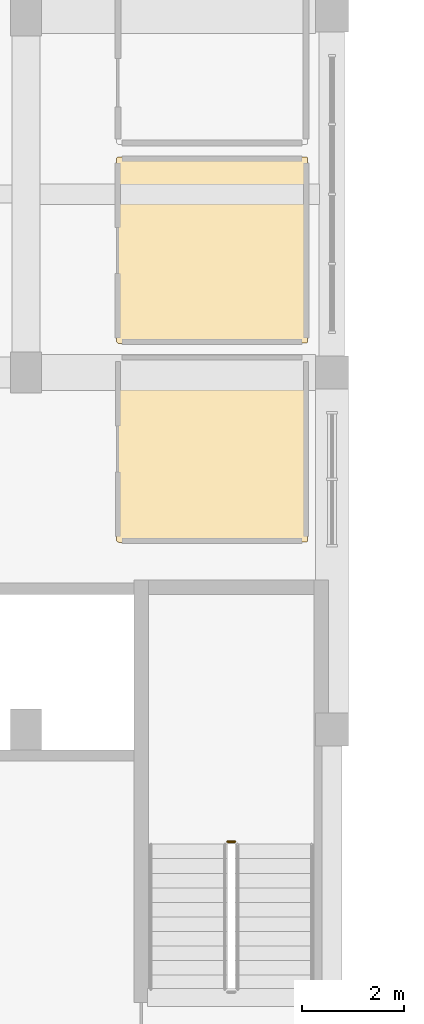
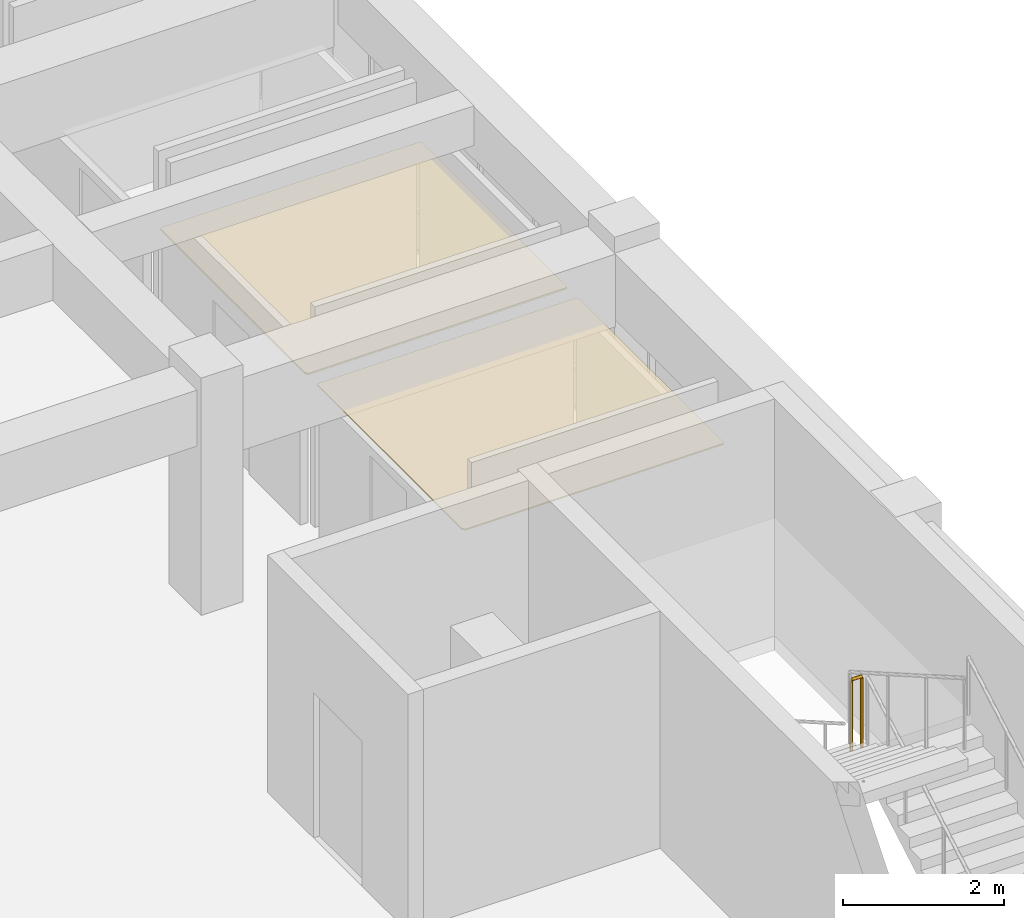
# One storey, part 75 of 77: 2 coverings, 1 railing.
"""IFC4 building model written with IfcOpenShell, lengths in metres."""

from ifc_helpers import new_model, si_unit, direction, frame, origin, origin_2d, place, context, subcontext, project, spatial, polyline, circle, outline, extrude, material, layer, layer_set, type_object, element, save


model = new_model("IFC4")

# Units and contexts
model_context = context("Model", 3, precision=1e-05, world=origin(), true_north=direction((0.0, 1.0)))
body_context = subcontext(model_context, "Body", "Model", "MODEL_VIEW")
ifc_project = project(units=[si_unit("LENGTHUNIT", "METRE"), si_unit("AREAUNIT", "SQUARE_METRE"), si_unit("VOLUMEUNIT", "CUBIC_METRE"), si_unit("PLANEANGLEUNIT", "RADIAN"), si_unit("MASSUNIT", "GRAM", prefix="KILO")], contexts=[model_context])

# Site, building, storey
site_placement = place(None, origin())
site = spatial("IfcSite", under=ifc_project, at=site_placement, CompositionType="ELEMENT")
building_placement = place(site_placement, origin())
building = spatial("IfcBuilding", under=site, at=building_placement, Name="Larkveld Mobility Hub", CompositionType="ELEMENT")
storey_placement = place(building_placement, frame((0.0, 0.0, 12.0)))
storey = spatial("IfcBuildingStorey", under=building, at=storey_placement, Name="L03", CompositionType="ELEMENT", Elevation=12.0)

# Coverings
ifc_material_1 = material(Name="Perforated mineral-fibre acoustic ceiling", Category="masonry")
ifc_layer_1 = layer(ifc_material_1, 0.02001953125, Name="Perforated mineral-fibre acoustic ceiling", Category="masonry")
ifc_layer_set_1 = layer_set([ifc_layer_1], Name="Perforated mineral-fibre acoustic ceiling")
covering_type_1 = type_object("IfcCoveringType", Name="CV-CLG-020", PredefinedType="CEILING", material=ifc_layer_set_1)
covering_1_placement = place(storey_placement, frame((0.0, 0.0, 2.330078125)))
element("IfcCovering", 1, at=covering_1_placement, inside=storey, type_object=covering_type_1, Name="Male Public Toilet Acoustic Ceiling 034", PredefinedType="CEILING", context=body_context, shape_type="SweptSolid", body=[
    extrude(outline(polyline([(147.820068359375, 38.669921875), (147.81689453125, 38.669921875), (147.81396484375, 38.6708984375), (147.81103515625, 38.6708984375), (147.80908203125, 38.672119140625), (147.805908203125, 38.674072265625), (147.802978515625, 38.675048828125), (147.801025390625, 38.677001953125), (147.799072265625, 38.678955078125), (147.779052734375, 38.698974609375), (147.777099609375, 38.700927734375), (147.77490234375, 38.702880859375), (147.77392578125, 38.7060546875), (147.77197265625, 38.708984375), (147.77099609375, 38.7109375), (147.77099609375, 38.714111328125), (147.77001953125, 38.717041015625), (147.77001953125, 38.719970703125), (147.77587890625, 42.2939453125), (147.77587890625, 42.297119140625), (147.77587890625, 42.300048828125), (147.777099609375, 42.302978515625), (147.778076171875, 42.305908203125), (147.779052734375, 42.30810546875), (147.781005859375, 42.31103515625), (147.782958984375, 42.31298828125), (147.784912109375, 42.31494140625), (147.787109375, 42.31689453125), (147.7890625, 42.319091796875), (147.7919921875, 42.321044921875), (147.7939453125, 42.322021484375), (147.797119140625, 42.322998046875), (147.800048828125, 42.323974609375), (147.802978515625, 42.323974609375), (147.805908203125, 42.323974609375), (151.493896484375, 42.323974609375), (151.4970703125, 42.323974609375), (151.5, 42.323974609375), (151.5029296875, 42.322998046875), (151.506103515625, 42.322021484375), (151.508056640625, 42.321044921875), (151.510986328125, 42.319091796875), (151.512939453125, 42.31689453125), (151.514892578125, 42.31494140625), (151.51708984375, 42.31298828125), (151.51904296875, 42.31103515625), (151.52099609375, 42.30810546875), (151.52197265625, 42.305908203125), (151.52294921875, 42.302978515625), (151.52392578125, 42.300048828125), (151.52392578125, 42.297119140625), (151.52392578125, 42.2939453125), (151.52392578125, 38.7060546875), (151.52392578125, 38.702880859375), (151.52392578125, 38.699951171875), (151.52294921875, 38.697021484375), (151.52197265625, 38.694091796875), (151.52099609375, 38.69189453125), (151.51904296875, 38.68896484375), (151.51708984375, 38.68701171875), (151.514892578125, 38.68505859375), (151.512939453125, 38.68310546875), (151.510986328125, 38.680908203125), (151.508056640625, 38.678955078125), (151.506103515625, 38.677978515625), (151.5029296875, 38.677001953125), (151.5, 38.676025390625), (151.4970703125, 38.676025390625), (151.493896484375, 38.676025390625), (147.820068359375, 38.669921875)])), origin(), (0.0, 0.0, 1.0), 0.02001953125),
])
ifc_material_2 = material(Name="Moisture-resistant gypsum board ceiling", Category="masonry")
ifc_layer_2 = layer(ifc_material_2, 0.02490234375, Name="Moisture-resistant gypsum board ceiling", Category="masonry")
ifc_layer_set_2 = layer_set([ifc_layer_2], Name="Moisture-resistant gypsum board ceiling")
covering_type_2 = type_object("IfcCoveringType", Name="CV-CLG-025", PredefinedType="CEILING", material=ifc_layer_set_2)
covering_2_placement = place(storey_placement, frame((0.0, 0.0, 2.324951171875)))
element("IfcCovering", 2, at=covering_2_placement, inside=storey, type_object=covering_type_2, Name="Female Public Toilet Acoustic Ceiling 035", PredefinedType="CEILING", context=body_context, shape_type="SweptSolid", body=[
    extrude(outline(polyline([(147.820068359375, 42.570068359375), (147.81689453125, 42.570068359375), (147.81396484375, 42.571044921875), (147.81103515625, 42.571044921875), (147.80908203125, 42.572021484375), (147.805908203125, 42.573974609375), (147.802978515625, 42.574951171875), (147.801025390625, 42.576904296875), (147.799072265625, 42.5791015625), (147.779052734375, 42.59912109375), (147.777099609375, 42.60107421875), (147.77490234375, 42.60302734375), (147.77392578125, 42.60595703125), (147.77197265625, 42.60888671875), (147.77099609375, 42.611083984375), (147.77099609375, 42.614013671875), (147.77001953125, 42.616943359375), (147.77001953125, 42.6201171875), (147.77587890625, 46.194091796875), (147.77587890625, 46.197021484375), (147.77587890625, 46.199951171875), (147.777099609375, 46.202880859375), (147.778076171875, 46.2060546875), (147.779052734375, 46.2080078125), (147.781005859375, 46.2109375), (147.782958984375, 46.212890625), (147.784912109375, 46.215087890625), (147.787109375, 46.217041015625), (147.7890625, 46.218994140625), (147.7919921875, 46.220947265625), (147.7939453125, 46.221923828125), (147.797119140625, 46.222900390625), (147.800048828125, 46.22412109375), (147.802978515625, 46.22412109375), (147.805908203125, 46.22412109375), (151.493896484375, 46.22412109375), (151.4970703125, 46.22412109375), (151.5, 46.22412109375), (151.5029296875, 46.222900390625), (151.506103515625, 46.221923828125), (151.508056640625, 46.220947265625), (151.510986328125, 46.218994140625), (151.512939453125, 46.217041015625), (151.514892578125, 46.215087890625), (151.51708984375, 46.212890625), (151.51904296875, 46.2109375), (151.52099609375, 46.2080078125), (151.52197265625, 46.2060546875), (151.52294921875, 46.202880859375), (151.52392578125, 46.199951171875), (151.52392578125, 46.197021484375), (151.52392578125, 46.194091796875), (151.52392578125, 42.60595703125), (151.52392578125, 42.60302734375), (151.52392578125, 42.60009765625), (151.52294921875, 42.596923828125), (151.52197265625, 42.593994140625), (151.52099609375, 42.592041015625), (151.51904296875, 42.589111328125), (151.51708984375, 42.5869140625), (151.514892578125, 42.5849609375), (151.512939453125, 42.5830078125), (151.510986328125, 42.5810546875), (151.508056640625, 42.5791015625), (151.506103515625, 42.577880859375), (151.5029296875, 42.576904296875), (151.5, 42.575927734375), (151.4970703125, 42.575927734375), (151.493896484375, 42.575927734375), (147.820068359375, 42.570068359375)])), origin(), (0.0, 0.0, 1.0), 0.025146484375),
])

# Railing
ifc_material_3 = material(Name="Galvanized Steel S355JR balustrade", Category="steel")
railing_type = type_object("IfcRailingType", Name="RL-GRD-1100", PredefinedType="GUARDRAIL", material=ifc_material_3)
railing_placement = place(storey_placement, frame((150.10009765625, 32.800048828125, 1.800048828125)))
element("IfcRailing", 3, at=railing_placement, inside=storey, type_object=railing_type, Name="L03 ST1 stair guard 2", PredefinedType="GUARDRAIL", context=body_context, shape_type="SweptSolid", body=[
    extrude(circle(Radius=0.02392578125, at=origin_2d()), frame((0.0, 0.0, 1.076171875), z_axis=(-1.0, 0.0, 0.0), x_axis=(0.0, -1.0, 0.0)), (0.0, 0.0, 1.0), 0.150146484375),
    extrude(circle(Radius=0.02099609375, at=origin_2d()), origin(), (0.0, 0.0, 1.0), 1.052001953125),
    extrude(circle(Radius=0.02099609375, at=origin_2d()), frame((-0.150146484375, 0.0, 0.0)), (0.0, 0.0, 1.0), 1.052001953125),
])

save(model, "model.ifc")
